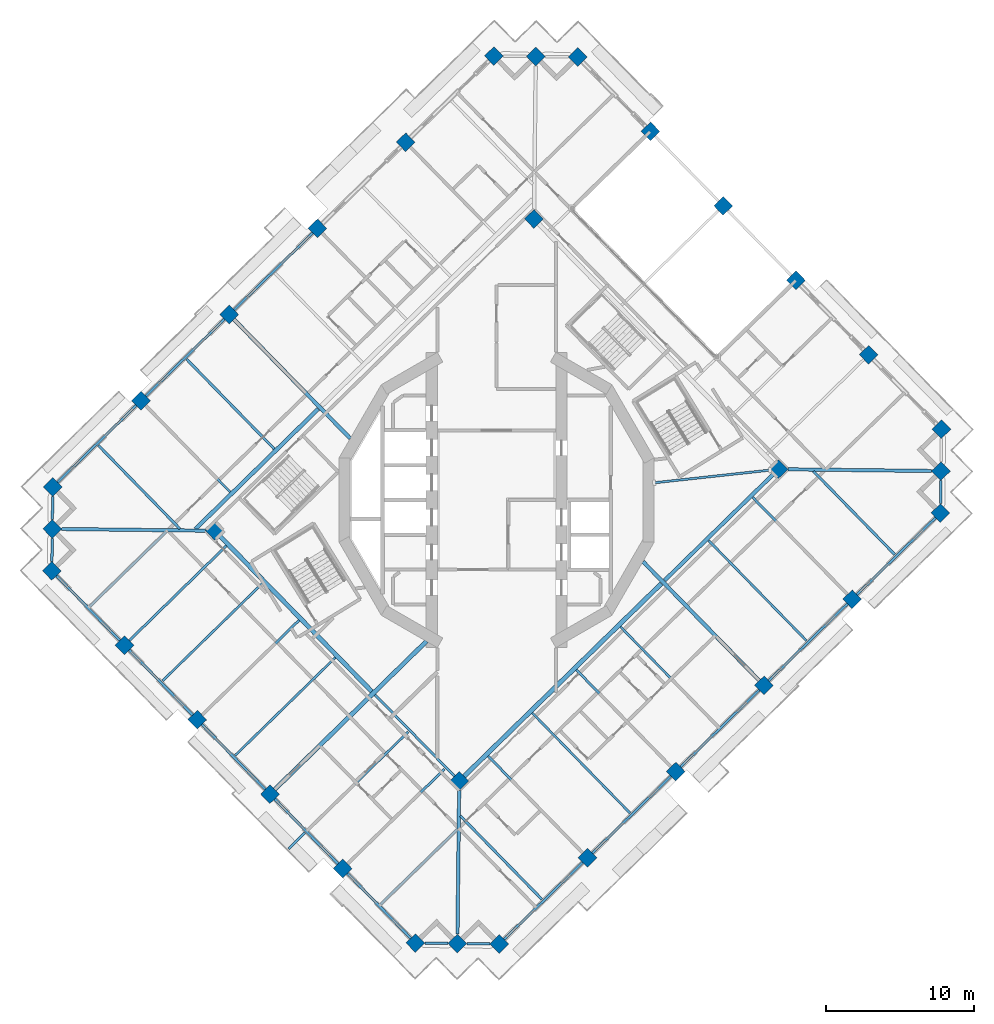
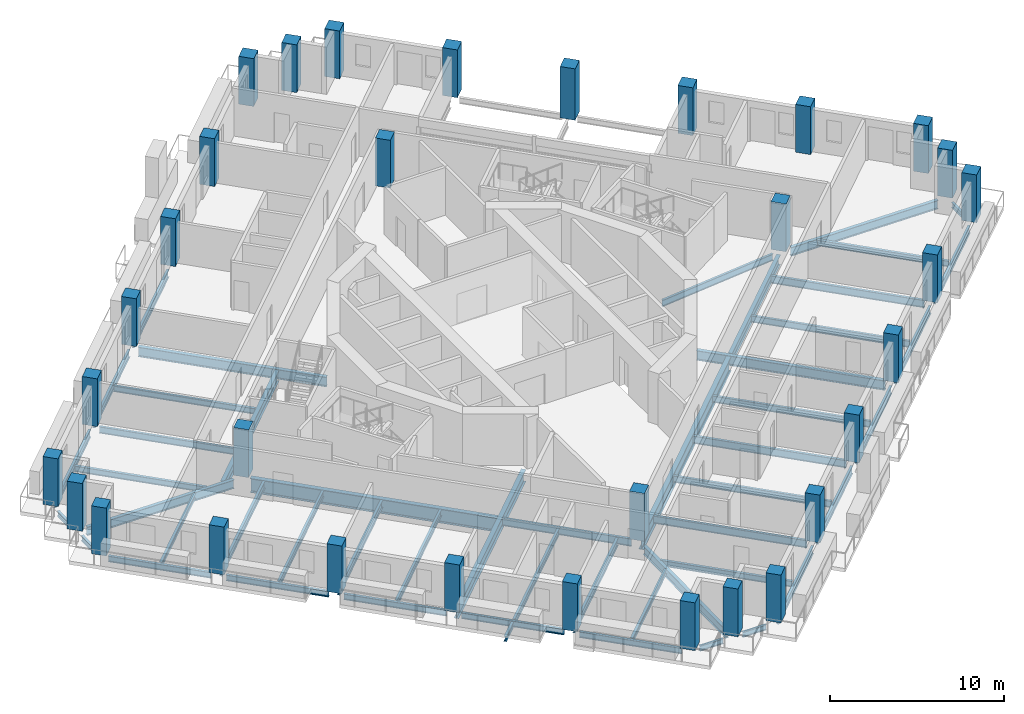
# One storey, part 1 of 20: 50 beams, 32 columns.
"""IFC4 building model written with IfcOpenShell, lengths in metres."""

from ifc_helpers import new_model, si_unit, direction, frame, origin, origin_2d, place, context, subcontext, project, spatial, rectangle, i_section, extrude, material, material_profile, profile_set, type_object, element, save


model = new_model("IFC4")

# Units and contexts
model_context = context("Model", 3, precision=1e-05, world=origin(), true_north=direction((0.0, 1.0)))
body_context = subcontext(model_context, "Body", "Model", "MODEL_VIEW")
ifc_project = project(units=[si_unit("LENGTHUNIT", "METRE"), si_unit("AREAUNIT", "SQUARE_METRE"), si_unit("VOLUMEUNIT", "CUBIC_METRE"), si_unit("PLANEANGLEUNIT", "RADIAN"), si_unit("MASSUNIT", "GRAM", prefix="KILO")], contexts=[model_context])

# Site, building, storey
site_placement = place(None, origin())
site = spatial("IfcSite", under=ifc_project, at=site_placement, CompositionType="ELEMENT")
building_placement = place(site_placement, origin())
building = spatial("IfcBuilding", under=site, at=building_placement, Name="Cantera Rosa Tower", CompositionType="ELEMENT")
storey_placement = place(building_placement, frame((0.0, 0.0, 209.0)))
storey = spatial("IfcBuildingStorey", under=building, at=storey_placement, Name="L44", CompositionType="ELEMENT", Elevation=209.0)

# Columns
ifc_material_1 = material(Name="Concrete C60/75", Category="concrete")
ifc_material_profile_1 = material_profile(ifc_material_1, rectangle(XDim=0.89990234375, YDim=0.89990234375, at=origin_2d()), Name="RC COLUMN RC900X900 C60/75")
ifc_profile_set_1 = profile_set([ifc_material_profile_1], Name="Concrete C60/75")
column_type_1 = type_object("IfcColumnType", Name="RC COLUMN RC900X900 C60/75", PredefinedType="COLUMN", material=ifc_profile_set_1)
for number, where, z_axis, x_axis, name in (
    (1, (30.003662109375, 4.77783203125, 0.0), (0.0, 0.0, 1.0), (0.71528629107, 0.698831540364, 0.0), "C-Z4-01 L44"),
    (2, (25.097900390625, 9.799072265625, 0.0), (0.0, 0.0, 1.0), (0.71528629107, 0.698831540364, 0.0), "C-Z4-02 L44"),
    (3, (20.19189453125, 14.8203125, 0.0), (0.0, 0.0, 1.0), (0.71528629107, 0.698831540364, 0.0), "C-Z4-03 L44"),
):
    element("IfcColumn", number, at=place(storey_placement, frame(where, z_axis=z_axis, x_axis=x_axis)), inside=storey, type_object=column_type_1, Name=name, PredefinedType="COLUMN", context=body_context, shape_type="SweptSolid", body=[
        extrude(rectangle(XDim=0.89990234375, YDim=0.89990234375, at=origin_2d()), origin(), (0.0, 0.0, 1.0), 3.35009765625),
    ])
column_placement = place(storey_placement, frame((15.2861328125, 19.841796875, -0.25), z_axis=(0.0, 0.0, 1.0), x_axis=(0.71528629107, 0.698831540364, 0.0)))
element("IfcColumn", 4, at=column_placement, inside=storey, type_object=column_type_1, Name="C-Z4-04 L44", PredefinedType="COLUMN", context=body_context, shape_type="SweptSolid", body=[
    extrude(rectangle(XDim=0.89990234375, YDim=0.89990234375, at=origin_2d()), origin(), (0.0, 0.0, 1.0), 3.60009765625),
])
for number, where, z_axis, x_axis, name in (
    (5, (10.38037109375, 24.863037109375, 0.0), (0.0, 0.0, 1.0), (0.71528629107, 0.698831540364, 0.0), "C-Z4-05 L44"),
    (6, (5.474609375, 29.88427734375, 0.0), (0.0, 0.0, 1.0), (0.71528629107, 0.698831540364, 0.0), "C-Z4-06 L44"),
    (7, (2.646484375, 29.917236328125, 0.0), (0.0, 0.0, 1.0), (0.71528629107, 0.698831540364, 0.0), "C-Z4-07 L44"),
    (8, (-0.181884765625, 29.9501953125, 0.0), (0.0, 0.0, 1.0), (0.71528629107, 0.698831540364, 0.0), "C-Z4-08 L44"),
    (9, (-6.133056640625, 24.1357421875, 0.0), (0.0, 0.0, 1.0), (0.71528629107, 0.698831540364, 0.0), "C-Z4-09 L44"),
    (10, (-12.084228515625, 18.321533203125, 0.0), (0.0, 0.0, 1.0), (0.71528629107, 0.698831540364, 0.0), "C-Z4-10 L44"),
    (11, (-18.035400390625, 12.50732421875, 0.0), (0.0, 0.0, 1.0), (0.71528629107, 0.698831540364, 0.0), "C-Z4-11 L44"),
    (12, (-23.986572265625, 6.693115234375, 0.0), (0.0, 0.0, 1.0), (0.71528629107, 0.698831540364, 0.0), "C-Z4-12 L44"),
    (13, (-29.937744140625, 0.878662109375, 0.0), (0.0, 0.0, 1.0), (0.71528629107, 0.698831540364, 0.0), "C-Z4-13 L44"),
    (14, (-29.970703125, -1.949462890625, 0.0), (0.0, 0.0, 1.0), (0.71528629107, 0.698831540364, 0.0), "C-Z4-14 L44"),
    (15, (-30.003662109375, -4.77783203125, 0.0), (0.0, 0.0, 1.0), (0.71528629107, 0.698831540364, 0.0), "C-Z4-15 L44"),
    (16, (-25.097900390625, -9.799072265625, 0.0), (0.0, 0.0, 1.0), (0.71528629107, 0.698831540364, 0.0), "C-Z4-16 L44"),
    (17, (-20.19189453125, -14.8203125, 0.0), (0.0, 0.0, 1.0), (0.71528629107, 0.698831540364, 0.0), "C-Z4-17 L44"),
    (18, (-15.2861328125, -19.841796875, 0.0), (0.0, 0.0, 1.0), (0.71528629107, 0.698831540364, 0.0), "C-Z4-18 L44"),
    (19, (-10.38037109375, -24.863037109375, 0.0), (0.0, 0.0, 1.0), (0.71528629107, 0.698831540364, 0.0), "C-Z4-19 L44"),
    (20, (-5.474609375, -29.88427734375, 0.0), (0.0, 0.0, 1.0), (0.71528629107, 0.698831540364, 0.0), "C-Z4-20 L44"),
    (21, (-2.646484375, -29.917236328125, 0.0), (0.0, 0.0, 1.0), (0.71528629107, 0.698831540364, 0.0), "C-Z4-21 L44"),
    (22, (0.181884765625, -29.9501953125, 0.0), (0.0, 0.0, 1.0), (0.71528629107, 0.698831540364, 0.0), "C-Z4-22 L44"),
    (23, (6.133056640625, -24.1357421875, 0.0), (0.0, 0.0, 1.0), (0.71528629107, 0.698831540364, 0.0), "C-Z4-23 L44"),
    (24, (12.084228515625, -18.321533203125, 0.0), (0.0, 0.0, 1.0), (0.71528629107, 0.698831540364, 0.0), "C-Z4-24 L44"),
    (25, (18.035400390625, -12.50732421875, 0.0), (0.0, 0.0, 1.0), (0.71528629107, 0.698831540364, 0.0), "C-Z4-25 L44"),
    (26, (23.986572265625, -6.693115234375, 0.0), (0.0, 0.0, 1.0), (0.71528629107, 0.698831540364, 0.0), "C-Z4-26 L44"),
    (27, (29.937744140625, -0.878662109375, 0.0), (0.0, 0.0, 1.0), (0.71528629107, 0.698831540364, 0.0), "C-Z4-27 L44"),
    (28, (29.970703125, 1.949462890625, 0.0), (0.0, 0.0, 1.0), (0.71528629107, 0.698831540364, 0.0), "C-Z4-28 L44"),
):
    element("IfcColumn", number, at=place(storey_placement, frame(where, z_axis=z_axis, x_axis=x_axis)), inside=storey, type_object=column_type_1, Name=name, PredefinedType="COLUMN", context=body_context, shape_type="SweptSolid", body=[
        extrude(rectangle(XDim=0.89990234375, YDim=0.89990234375, at=origin_2d()), origin(), (0.0, 0.0, 1.0), 3.35009765625),
    ])
ifc_material_2 = material(Name="Concrete C60/75", Category="concrete")
ifc_material_profile_2 = material_profile(ifc_material_2, rectangle(XDim=0.89990234375, YDim=0.89990234375, at=origin_2d()), Name="RC RING COLUMN RC900X900 C60/75")
ifc_profile_set_2 = profile_set([ifc_material_profile_2], Name="Concrete C60/75")
column_type_2 = type_object("IfcColumnType", Name="RC RING COLUMN RC900X900 C60/75", PredefinedType="COLUMN", material=ifc_profile_set_2)
for number, where, z_axis, x_axis, name in (
    (29, (2.518798828125, 18.957763671875, 0.0), (0.0, 0.0, 1.0), (0.71528629107, 0.698831540364, 0.0), "CI-Z4-1 L44"),
    (30, (-19.01123046875, -2.0771484375, 0.0), (0.0, 0.0, 1.0), (0.71528629107, 0.698831540364, 0.0), "CI-Z4-2 L44"),
    (31, (-2.518798828125, -18.957763671875, 0.0), (0.0, 0.0, 1.0), (0.71528629107, 0.698831540364, 0.0), "CI-Z4-3 L44"),
    (32, (19.01123046875, 2.0771484375, 0.0), (0.0, 0.0, 1.0), (0.71528629107, 0.698831540364, 0.0), "CI-Z4-4 L44"),
):
    element("IfcColumn", number, at=place(storey_placement, frame(where, z_axis=z_axis, x_axis=x_axis)), inside=storey, type_object=column_type_2, Name=name, PredefinedType="COLUMN", context=body_context, shape_type="SweptSolid", body=[
        extrude(rectangle(XDim=0.89990234375, YDim=0.89990234375, at=origin_2d()), origin(), (0.0, 0.0, 1.0), 3.35009765625),
    ])

# Beams
ifc_material_3 = material(Name="Steel ASTM A992 (Fy 345 MPa)", Category="steel")
ifc_material_profile_3 = material_profile(ifc_material_3, i_section(OverallWidth=0.300048828125, OverallDepth=0.990966796875, WebThickness=0.0166015625, FlangeThickness=0.030517578125, FilletRadius=0.030029296875, at=origin_2d()), Name="W1000X272")
ifc_profile_set_3 = profile_set([ifc_material_profile_3], Name="Steel ASTM A992 (Fy 345 MPa)")
beam_type_1 = type_object("IfcBeamType", Name="STEEL BEAM W1000X272", PredefinedType="BEAM", material=ifc_profile_set_3)
beam_1_placement = place(storey_placement, frame((-8.4169921875, -12.9208984375, -0.74560546875), z_axis=(-0.698826825527, 0.715290897415, 0.0), x_axis=(-0.715290897415, -0.698826825527, 0.0)))
element("IfcBeam", 33, at=beam_1_placement, inside=storey, type_object=beam_type_1, Name="RB-Z4-07 L44", PredefinedType="BEAM", context=body_context, shape_type="SweptSolid", body=[
    extrude(i_section(OverallWidth=0.300048828125, OverallDepth=0.990966796875, WebThickness=0.0166015625, FlangeThickness=0.030517578125, FilletRadius=0.030029296875, at=origin_2d()), origin(), (0.0, 0.0, 1.0), 14.7099609375),
])
ifc_material_4 = material(Name="Steel ASTM A992 (Fy 345 MPa)", Category="steel")
ifc_material_profile_4 = material_profile(ifc_material_4, i_section(OverallWidth=0.302001953125, OverallDepth=1.010009765625, WebThickness=0.02099609375, FlangeThickness=0.0400390625, FilletRadius=0.030029296875, at=origin_2d()), Name="W1000X350")
ifc_profile_set_4 = profile_set([ifc_material_profile_4], Name="Steel ASTM A992 (Fy 345 MPa)")
beam_type_2 = type_object("IfcBeamType", Name="STEEL BEAM W1000X350", PredefinedType="BEAM", material=ifc_profile_set_4)
beam_2_placement = place(storey_placement, frame((-2.197021484375, -18.643310546875, -0.7548828125), z_axis=(0.715290925107, 0.698826797182, 0.0), x_axis=(-0.698826797182, 0.715290925107, 0.0)))
element("IfcBeam", 34, at=beam_2_placement, inside=storey, type_object=beam_type_2, Name="RB-Z4-03 L44", PredefinedType="BEAM", context=body_context, shape_type="SweptSolid", body=[
    extrude(i_section(OverallWidth=0.302001953125, OverallDepth=1.010009765625, WebThickness=0.02099609375, FlangeThickness=0.0400390625, FilletRadius=0.030029296875, at=origin_2d()), origin(), (0.0, 0.0, 1.0), 18.60986328125),
])
ifc_material_5 = material(Name="Steel ASTM A992 (Fy 345 MPa)", Category="steel")
ifc_material_profile_5 = material_profile(ifc_material_5, i_section(OverallWidth=0.154052734375, OverallDepth=0.4599609375, WebThickness=0.009033203125, FlangeThickness=0.015380859375, FilletRadius=0.01025390625, at=origin_2d()), Name="W460X68")
ifc_profile_set_5 = profile_set([ifc_material_profile_5], Name="Steel ASTM A992 (Fy 345 MPa)")
beam_type_3 = type_object("IfcBeamType", Name="STEEL BEAM W460X68", PredefinedType="BEAM", material=ifc_profile_set_5)
beam_3_placement = place(storey_placement, frame((-23.672119140625, 6.37109375, -0.47998046875), z_axis=(0.698836133494, -0.715281803574, 0.0), x_axis=(0.715281803574, 0.698836133494, 0.0)))
element("IfcBeam", 35, at=beam_3_placement, inside=storey, type_object=beam_type_3, Name="G-Z4-08 L44", PredefinedType="BEAM", context=body_context, shape_type="SweptSolid", body=[
    extrude(i_section(OverallWidth=0.154052734375, OverallDepth=0.4599609375, WebThickness=0.009033203125, FlangeThickness=0.015380859375, FilletRadius=0.01025390625, at=origin_2d()), origin(), (0.0, 0.0, 1.0), 8.150146484375),
])
beam_4_placement = place(storey_placement, frame((18.44287109375, 2.014892578125, -0.47998046875), z_axis=(-0.994086100692, -0.108594771563, 0.0), x_axis=(0.108594771563, -0.994086100692, 0.0)))
element("IfcBeam", 36, at=beam_4_placement, inside=storey, type_object=beam_type_3, Name="PG-Z4-01 L44", PredefinedType="BEAM", context=body_context, shape_type="SweptSolid", body=[
    extrude(i_section(OverallWidth=0.154052734375, OverallDepth=0.4599609375, WebThickness=0.009033203125, FlangeThickness=0.015380859375, FilletRadius=0.01025390625, at=origin_2d()), origin(), (0.0, 0.0, 1.0), 7.864013671875),
])
ifc_material_6 = material(Name="Steel ASTM A992 (Fy 345 MPa)", Category="steel")
ifc_material_profile_6 = material_profile(ifc_material_6, i_section(OverallWidth=0.166015625, OverallDepth=0.528076171875, WebThickness=0.009765625, FlangeThickness=0.013671875, FilletRadius=0.0126953125, at=origin_2d()), Name="W530X74")
ifc_profile_set_6 = profile_set([ifc_material_profile_6], Name="Steel ASTM A992 (Fy 345 MPa)")
beam_type_4 = type_object("IfcBeamType", Name="STEEL BEAM W530X74", PredefinedType="BEAM", material=ifc_profile_set_6)
for number, where, z_axis, x_axis, name in (
    (37, (5.818603515625, -23.81396484375, -0.513916015625), (-0.698827481213, 0.71529025682, 0.0), (-0.71529025682, -0.698827481213, 0.0), "G-Z4-09 L44"),
    (38, (11.769775390625, -17.999755859375, -0.513916015625), (-0.698827481213, 0.71529025682, 0.0), (-0.71529025682, -0.698827481213, 0.0), "G-Z4-10 L44"),
    (39, (23.672119140625, -6.37109375, -0.513916015625), (-0.698827481213, 0.71529025682, 0.0), (-0.71529025682, -0.698827481213, 0.0), "G-Z4-12 L44"),
    (40, (-24.77587890625, -9.484619140625, -0.513916015625), (0.71529025682, 0.698827481213, 0.0), (-0.698827481213, 0.71529025682, 0.0), "G-Z4-13 L44"),
    (41, (-19.8701171875, -14.505859375, -0.513916015625), (0.71529025682, 0.698827481213, 0.0), (-0.698827481213, 0.71529025682, 0.0), "G-Z4-14 L44"),
    (42, (-10.05859375, -24.548583984375, -0.513916015625), (0.71529025682, 0.698827481213, 0.0), (-0.698827481213, 0.71529025682, 0.0), "G-Z4-16 L44"),
):
    element("IfcBeam", number, at=place(storey_placement, frame(where, z_axis=z_axis, x_axis=x_axis)), inside=storey, type_object=beam_type_4, Name=name, PredefinedType="BEAM", context=body_context, shape_type="SweptSolid", body=[
        extrude(i_section(OverallWidth=0.166015625, OverallDepth=0.528076171875, WebThickness=0.009765625, FlangeThickness=0.013671875, FilletRadius=0.0126953125, at=origin_2d()), origin(), (0.0, 0.0, 1.0), 9.14990234375),
    ])
beam_5_placement = place(storey_placement, frame((-2.833251953125, -18.635986328125, -0.513916015625), z_axis=(-0.698820376914, 0.71529719754, 0.0), x_axis=(-0.71529719754, -0.698820376914, 0.0)))
element("IfcBeam", 43, at=beam_5_placement, inside=storey, type_object=beam_type_4, Name="RB-Z4-06 L44", PredefinedType="BEAM", context=body_context, shape_type="SweptSolid", body=[
    extrude(i_section(OverallWidth=0.166015625, OverallDepth=0.528076171875, WebThickness=0.009765625, FlangeThickness=0.013671875, FilletRadius=0.0126953125, at=origin_2d()), origin(), (0.0, 0.0, 1.0), 7.690185546875),
])
ifc_material_7 = material(Name="Steel ASTM A992 (Fy 345 MPa)", Category="steel")
ifc_material_profile_7 = material_profile(ifc_material_7, i_section(OverallWidth=0.22802734375, OverallDepth=0.60205078125, WebThickness=0.010498046875, FlangeThickness=0.014892578125, FilletRadius=0.0126953125, at=origin_2d()), Name="W610X101")
ifc_profile_set_7 = profile_set([ifc_material_profile_7], Name="Steel ASTM A992 (Fy 345 MPa)")
beam_type_5 = type_object("IfcBeamType", Name="STEEL BEAM W610X101", PredefinedType="BEAM", material=ifc_profile_set_7)
for number, where, z_axis, x_axis, name in (
    (44, (-29.334228515625, -1.95703125, -0.551025390625), (0.999932504919, -0.011618330597, 0.0), (0.011618330597, 0.999932504919, 0.0), "CB-Z4-02 L44"),
    (45, (-2.638916015625, -29.28076171875, -0.551025390625), (0.011618330597, 0.999932504919, 0.0), (-0.999932504919, 0.011618330597, 0.0), "CB-Z4-03 L44"),
    (46, (29.334228515625, 1.95703125, -0.551025390625), (-0.999932504919, 0.011618330597, 0.0), (-0.011618330597, -0.999932504919, 0.0), "CB-Z4-04 L44"),
):
    element("IfcBeam", number, at=place(storey_placement, frame(where, z_axis=z_axis, x_axis=x_axis)), inside=storey, type_object=beam_type_5, Name=name, PredefinedType="BEAM", context=body_context, shape_type="SweptSolid", body=[
        extrude(i_section(OverallWidth=0.22802734375, OverallDepth=0.60205078125, WebThickness=0.010498046875, FlangeThickness=0.014892578125, FilletRadius=0.0126953125, at=origin_2d()), origin(), (0.0, 0.0, 1.0), 9.687255859375),
    ])
ifc_material_8 = material(Name="Steel ASTM A992 (Fy 345 MPa)", Category="steel")
ifc_material_profile_8 = material_profile(ifc_material_8, i_section(OverallWidth=0.25390625, OverallDepth=0.677978515625, WebThickness=0.01171875, FlangeThickness=0.016357421875, FilletRadius=0.01513671875, at=origin_2d()), Name="W690X125")
ifc_profile_set_8 = profile_set([ifc_material_profile_8], Name="Steel ASTM A992 (Fy 345 MPa)")
beam_type_6 = type_object("IfcBeamType", Name="STEEL BEAM W690X125", PredefinedType="BEAM", material=ifc_profile_set_8)
for number, where, z_axis, x_axis, name in (
    (47, (-17.720947265625, 12.185302734375, -0.589111328125), (0.698831358516, -0.715286468734, 0.0), (0.715286468734, 0.698831358516, 0.0), "G-Z4-07 L44"),
    (48, (17.720947265625, -12.185302734375, -0.589111328125), (-0.698831358516, 0.715286468734, 0.0), (-0.715286468734, -0.698831358516, 0.0), "G-Z4-11 L44"),
):
    element("IfcBeam", number, at=place(storey_placement, frame(where, z_axis=z_axis, x_axis=x_axis)), inside=storey, type_object=beam_type_6, Name=name, PredefinedType="BEAM", context=body_context, shape_type="SweptSolid", body=[
        extrude(i_section(OverallWidth=0.25390625, OverallDepth=0.677978515625, WebThickness=0.01171875, FlangeThickness=0.016357421875, FilletRadius=0.01513671875, at=origin_2d()), origin(), (0.0, 0.0, 1.0), 11.2314453125),
    ])
beam_6_placement = place(storey_placement, frame((11.3291015625, -5.428466796875, -0.589111328125), z_axis=(0.715291776896, 0.698825925324, 0.0), x_axis=(-0.698825925324, 0.715291776896, 0.0)))
element("IfcBeam", 49, at=beam_6_placement, inside=storey, type_object=beam_type_6, Name="RB-Z4-04 L44", PredefinedType="BEAM", context=body_context, shape_type="SweptSolid", body=[
    extrude(i_section(OverallWidth=0.25390625, OverallDepth=0.677978515625, WebThickness=0.01171875, FlangeThickness=0.016357421875, FilletRadius=0.01513671875, at=origin_2d()), origin(), (0.0, 0.0, 1.0), 10.2900390625),
])
ifc_material_9 = material(Name="Steel ASTM A992 (Fy 345 MPa)", Category="steel")
ifc_material_profile_9 = material_profile(ifc_material_9, i_section(OverallWidth=0.26708984375, OverallDepth=0.75390625, WebThickness=0.01318359375, FlangeThickness=0.01708984375, FilletRadius=0.0166015625, at=origin_2d()), Name="W760X147")
ifc_profile_set_9 = profile_set([ifc_material_profile_9], Name="Steel ASTM A992 (Fy 345 MPa)")
beam_type_7 = type_object("IfcBeamType", Name="STEEL BEAM W760X147", PredefinedType="BEAM", material=ifc_profile_set_9)
beam_7_placement = place(storey_placement, frame((-20.318115234375, -1.955810546875, -0.626953125), z_axis=(0.715284592672, 0.698833278749, 0.0), x_axis=(-0.698833278749, 0.715284592672, 0.0)))
element("IfcBeam", 50, at=beam_7_placement, inside=storey, type_object=beam_type_7, Name="RB-Z4-01 L44", PredefinedType="BEAM", context=body_context, shape_type="SweptSolid", body=[
    extrude(i_section(OverallWidth=0.26708984375, OverallDepth=0.75390625, WebThickness=0.01318359375, FlangeThickness=0.01708984375, FilletRadius=0.0166015625, at=origin_2d()), origin(), (0.0, 0.0, 1.0), 11.590087890625),
])
ifc_material_10 = material(Name="Steel ASTM A992 (Fy 345 MPa)", Category="steel")
ifc_material_profile_10 = material_profile(ifc_material_10, i_section(OverallWidth=0.2919921875, OverallDepth=0.8359375, WebThickness=0.013916015625, FlangeThickness=0.018798828125, FilletRadius=0.017822265625, at=origin_2d()), Name="W840X176")
ifc_profile_set_10 = profile_set([ifc_material_profile_10], Name="Steel ASTM A992 (Fy 345 MPa)")
beam_type_8 = type_object("IfcBeamType", Name="STEEL BEAM W840X176", PredefinedType="BEAM", material=ifc_profile_set_10)
beam_8_placement = place(storey_placement, frame((-14.96435546875, -19.527099609375, -0.66796875), z_axis=(0.715288446628, 0.698829334045, 0.0), x_axis=(-0.698829334045, 0.715288446628, 0.0)))
element("IfcBeam", 51, at=beam_8_placement, inside=storey, type_object=beam_type_8, Name="G-Z4-15 L44", PredefinedType="BEAM", context=body_context, shape_type="SweptSolid", body=[
    extrude(i_section(OverallWidth=0.2919921875, OverallDepth=0.8359375, WebThickness=0.013916015625, FlangeThickness=0.018798828125, FilletRadius=0.017822265625, at=origin_2d()), origin(), (0.0, 0.0, 1.0), 14.299072265625),
])
ifc_material_11 = material(Name="Steel ASTM A992 (Fy 345 MPa)", Category="steel")
ifc_material_profile_11 = material_profile(ifc_material_11, i_section(OverallWidth=0.1708984375, OverallDepth=0.35595703125, WebThickness=0.00732421875, FlangeThickness=0.01171875, FilletRadius=0.010009765625, at=origin_2d()), Name="W360X51")
ifc_profile_set_11 = profile_set([ifc_material_profile_11], Name="Steel ASTM A992 (Fy 345 MPa)")
beam_type_9 = type_object("IfcBeamType", Name="STEEL JOIST W360X51", PredefinedType="JOIST", material=ifc_profile_set_11)
for number, where, z_axis, x_axis, name in (
    (52, (-27.443359375, -7.18359375, -0.427978515625), (0.715287213552, 0.69883059616, 0.0), (-0.69883059616, 0.715287213552, 0.0), "B-Z4-16 L44"),
    (53, (-7.8203125, -27.268798828125, -0.427978515625), (0.715287213552, 0.69883059616, 0.0), (-0.69883059616, 0.715287213552, 0.0), "B-Z4-20 L44"),
):
    element("IfcBeam", number, at=place(storey_placement, frame(where, z_axis=z_axis, x_axis=x_axis)), inside=storey, type_object=beam_type_9, Name=name, PredefinedType="JOIST", context=body_context, shape_type="SweptSolid", body=[
        extrude(i_section(OverallWidth=0.1708984375, OverallDepth=0.35595703125, WebThickness=0.00732421875, FlangeThickness=0.01171875, FilletRadius=0.010009765625, at=origin_2d()), origin(), (0.0, 0.0, 1.0), 7.2099609375),
    ])
beam_9_placement = place(storey_placement, frame((-12.92626953125, -22.443115234375, -0.427978515625), z_axis=(-0.715306775654, -0.698810572833, 0.0), x_axis=(0.698810572833, -0.715306775654, 0.0)))
element("IfcBeam", 54, at=beam_9_placement, inside=storey, type_object=beam_type_9, Name="BS-Z4-01 L44", PredefinedType="JOIST", context=body_context, shape_type="SweptSolid", body=[
    extrude(i_section(OverallWidth=0.1708984375, OverallDepth=0.35595703125, WebThickness=0.00732421875, FlangeThickness=0.01171875, FilletRadius=0.010009765625, at=origin_2d()), origin(), (0.0, 0.0, 1.0), 1.553955078125),
])
ifc_material_12 = material(Name="Steel ASTM A992 (Fy 345 MPa)", Category="steel")
ifc_material_profile_12 = material_profile(ifc_material_12, i_section(OverallWidth=0.177978515625, OverallDepth=0.406005859375, WebThickness=0.0078125, FlangeThickness=0.0126953125, FilletRadius=0.01025390625, at=origin_2d()), Name="W410X60")
ifc_profile_set_12 = profile_set([ifc_material_profile_12], Name="Steel ASTM A992 (Fy 345 MPa)")
beam_type_10 = type_object("IfcBeamType", Name="STEEL JOIST W410X60", PredefinedType="JOIST", material=ifc_profile_set_12)
beam_10_placement = place(storey_placement, frame((-20.90625, 9.492919921875, -0.452880859375), z_axis=(0.698839235604, -0.715278772774, 0.0), x_axis=(0.715278772774, 0.698839235604, 0.0)))
element("IfcBeam", 55, at=beam_10_placement, inside=storey, type_object=beam_type_10, Name="B-Z4-09 L44", PredefinedType="JOIST", context=body_context, shape_type="SweptSolid", body=[
    extrude(i_section(OverallWidth=0.177978515625, OverallDepth=0.406005859375, WebThickness=0.0078125, FlangeThickness=0.0126953125, FilletRadius=0.01025390625, at=origin_2d()), origin(), (0.0, 0.0, 1.0), 8.4501953125),
])
for number, where, z_axis, x_axis, name in (
    (56, (-26.857421875, 3.678466796875, -0.452880859375), (0.698843394481, -0.715274709458, 0.0), (0.715274709458, 0.698843394481, 0.0), "B-Z4-10 L44"),
    (57, (3.052734375, -26.935791015625, -0.452880859375), (-0.698827868311, 0.715289878631, 0.0), (-0.715289878631, -0.698827868311, 0.0), "B-Z4-11 L44"),
    (58, (26.857421875, -3.678466796875, -0.452880859375), (-0.698843394481, 0.715274709458, 0.0), (-0.715274709458, -0.698843394481, 0.0), "B-Z4-15 L44"),
):
    element("IfcBeam", number, at=place(storey_placement, frame(where, z_axis=z_axis, x_axis=x_axis)), inside=storey, type_object=beam_type_10, Name=name, PredefinedType="JOIST", context=body_context, shape_type="SweptSolid", body=[
        extrude(i_section(OverallWidth=0.177978515625, OverallDepth=0.406005859375, WebThickness=0.0078125, FlangeThickness=0.0126953125, FilletRadius=0.01025390625, at=origin_2d()), origin(), (0.0, 0.0, 1.0), 7.860107421875),
    ])
ifc_material_13 = material(Name="Steel ASTM A992 (Fy 345 MPa)", Category="steel")
ifc_material_profile_13 = material_profile(ifc_material_13, i_section(OverallWidth=0.154052734375, OverallDepth=0.4599609375, WebThickness=0.009033203125, FlangeThickness=0.015380859375, FilletRadius=0.01025390625, at=origin_2d()), Name="W460X68")
ifc_profile_set_13 = profile_set([ifc_material_profile_13], Name="Steel ASTM A992 (Fy 345 MPa)")
beam_type_11 = type_object("IfcBeamType", Name="STEEL JOIST W460X68", PredefinedType="JOIST", material=ifc_profile_set_13)
beam_11_placement = place(storey_placement, frame((9.00390625, -21.121337890625, -0.47998046875), z_axis=(-0.698843443844, 0.715274661229, 0.0), x_axis=(-0.715274661229, -0.698843443844, 0.0)))
element("IfcBeam", 59, at=beam_11_placement, inside=storey, type_object=beam_type_11, Name="B-Z4-12 L44", PredefinedType="JOIST", context=body_context, shape_type="SweptSolid", body=[
    extrude(i_section(OverallWidth=0.154052734375, OverallDepth=0.4599609375, WebThickness=0.009033203125, FlangeThickness=0.015380859375, FilletRadius=0.01025390625, at=origin_2d()), origin(), (0.0, 0.0, 1.0), 9.449951171875),
])
for number, where, z_axis, x_axis, name in (
    (60, (14.955078125, -15.30712890625, -0.47998046875), (-0.698830529832, 0.715287278354, 0.0), (-0.715287278354, -0.698830529832, 0.0), "B-Z4-13 L44"),
    (61, (20.90625, -9.492919921875, -0.47998046875), (-0.698830529832, 0.715287278354, 0.0), (-0.715287278354, -0.698830529832, 0.0), "B-Z4-14 L44"),
    (62, (-22.53759765625, -12.204833984375, -0.47998046875), (0.715287278354, 0.698830529832, 0.0), (-0.698830529832, 0.715287278354, 0.0), "B-Z4-17 L44"),
    (63, (-17.6318359375, -17.226318359375, -0.47998046875), (0.715287278354, 0.698830529832, 0.0), (-0.698830529832, 0.715287278354, 0.0), "B-Z4-18 L44"),
    (64, (-12.72607421875, -22.24755859375, -0.47998046875), (0.715287278354, 0.698830529832, 0.0), (-0.698830529832, 0.715287278354, 0.0), "B-Z4-19 L44"),
):
    element("IfcBeam", number, at=place(storey_placement, frame(where, z_axis=z_axis, x_axis=x_axis)), inside=storey, type_object=beam_type_11, Name=name, PredefinedType="JOIST", context=body_context, shape_type="SweptSolid", body=[
        extrude(i_section(OverallWidth=0.154052734375, OverallDepth=0.4599609375, WebThickness=0.009033203125, FlangeThickness=0.015380859375, FilletRadius=0.01025390625, at=origin_2d()), origin(), (0.0, 0.0, 1.0), 9.4501953125),
    ])
ifc_material_14 = material(Name="Steel ASTM A992 (Fy 345 MPa)", Category="steel")
ifc_material_profile_14 = material_profile(ifc_material_14, i_section(OverallWidth=0.1708984375, OverallDepth=0.35595703125, WebThickness=0.00732421875, FlangeThickness=0.01171875, FilletRadius=0.010009765625, at=origin_2d()), Name="W360X51")
ifc_profile_set_14 = profile_set([ifc_material_profile_14], Name="Steel ASTM A992 (Fy 345 MPa)")
beam_type_12 = type_object("IfcBeamType", Name="STEEL SPANDREL BEAM W360X51", PredefinedType="SPANDREL", material=ifc_profile_set_14)
beam_12_placement = place(storey_placement, frame((-29.945068359375, 0.242431640625, -0.427978515625), z_axis=(-0.011769429589, -0.999930737865, 0.0), x_axis=(0.999930737865, -0.011769429589, 0.0)))
element("IfcBeam", 65, at=beam_12_placement, inside=storey, type_object=beam_type_12, Name="EB-Z4-13 L44", PredefinedType="SPANDREL", context=body_context, shape_type="SweptSolid", body=[
    extrude(i_section(OverallWidth=0.1708984375, OverallDepth=0.35595703125, WebThickness=0.00732421875, FlangeThickness=0.01171875, FilletRadius=0.010009765625, at=origin_2d()), origin(), (0.0, 0.0, 1.0), 1.5556640625),
])
for number, where, z_axis, x_axis, name in (
    (66, (-29.97802734375, -2.5859375, -0.427978515625), (-0.011614347636, -0.99993255119, 0.0), (0.99993255119, -0.011614347636, 0.0), "EB-Z4-14 L44"),
    (67, (-4.838134765625, -29.8916015625, -0.427978515625), (0.999930716123, -0.011771276677, 0.0), (0.011771276677, 0.999930716123, 0.0), "EB-Z4-20 L44"),
    (68, (-2.010009765625, -29.924560546875, -0.427978515625), (0.99993255119, -0.011614347636, 0.0), (0.011614347636, 0.99993255119, 0.0), "EB-Z4-21 L44"),
):
    element("IfcBeam", number, at=place(storey_placement, frame(where, z_axis=z_axis, x_axis=x_axis)), inside=storey, type_object=beam_type_12, Name=name, PredefinedType="SPANDREL", context=body_context, shape_type="SweptSolid", body=[
        extrude(i_section(OverallWidth=0.1708984375, OverallDepth=0.35595703125, WebThickness=0.00732421875, FlangeThickness=0.01171875, FilletRadius=0.010009765625, at=origin_2d()), origin(), (0.0, 0.0, 1.0), 1.555419921875),
    ])
beam_13_placement = place(storey_placement, frame((29.945068359375, -0.242431640625, -0.427978515625), z_axis=(0.011769429589, 0.999930737865, 0.0), x_axis=(-0.999930737865, 0.011769429589, 0.0)))
element("IfcBeam", 69, at=beam_13_placement, inside=storey, type_object=beam_type_12, Name="EB-Z4-27 L44", PredefinedType="SPANDREL", context=body_context, shape_type="SweptSolid", body=[
    extrude(i_section(OverallWidth=0.1708984375, OverallDepth=0.35595703125, WebThickness=0.00732421875, FlangeThickness=0.01171875, FilletRadius=0.010009765625, at=origin_2d()), origin(), (0.0, 0.0, 1.0), 1.5556640625),
])
ifc_material_15 = material(Name="Steel ASTM A992 (Fy 345 MPa)", Category="steel")
ifc_material_profile_15 = material_profile(ifc_material_15, i_section(OverallWidth=0.177978515625, OverallDepth=0.406005859375, WebThickness=0.0078125, FlangeThickness=0.0126953125, FilletRadius=0.01025390625, at=origin_2d()), Name="W410X60")
ifc_profile_set_15 = profile_set([ifc_material_profile_15], Name="Steel ASTM A992 (Fy 345 MPa)")
beam_type_13 = type_object("IfcBeamType", Name="STEEL SPANDREL BEAM W410X60", PredefinedType="SPANDREL", material=ifc_profile_set_15)
beam_14_placement = place(storey_placement, frame((-29.689208984375, -5.099609375, -0.452880859375), z_axis=(0.69882117953, -0.715296413412, 0.0), x_axis=(0.715296413412, 0.69882117953, 0.0)))
element("IfcBeam", 70, at=beam_14_placement, inside=storey, type_object=beam_type_13, Name="EB-Z4-15 L44", PredefinedType="SPANDREL", context=body_context, shape_type="SweptSolid", body=[
    extrude(i_section(OverallWidth=0.177978515625, OverallDepth=0.406005859375, WebThickness=0.0078125, FlangeThickness=0.0126953125, FilletRadius=0.01025390625, at=origin_2d()), origin(), (0.0, 0.0, 1.0), 6.1201171875),
])
for number, where, z_axis, x_axis, name in (
    (71, (-24.783203125, -10.120849609375, -0.452880859375), (0.698800768177, -0.715316354067, 0.0), (0.715316354067, 0.698800768177, 0.0), "EB-Z4-16 L44"),
    (72, (-19.87744140625, -15.142333984375, -0.452880859375), (0.698841120217, -0.71527693147, 0.0), (0.71527693147, 0.698841120217, 0.0), "EB-Z4-17 L44"),
    (73, (-14.9716796875, -20.16357421875, -0.452880859375), (0.698841120217, -0.71527693147, 0.0), (0.71527693147, 0.698841120217, 0.0), "EB-Z4-18 L44"),
):
    element("IfcBeam", number, at=place(storey_placement, frame(where, z_axis=z_axis, x_axis=x_axis)), inside=storey, type_object=beam_type_13, Name=name, PredefinedType="SPANDREL", context=body_context, shape_type="SweptSolid", body=[
        extrude(i_section(OverallWidth=0.177978515625, OverallDepth=0.406005859375, WebThickness=0.0078125, FlangeThickness=0.0126953125, FilletRadius=0.01025390625, at=origin_2d()), origin(), (0.0, 0.0, 1.0), 6.119873046875),
    ])
beam_15_placement = place(storey_placement, frame((-10.06591796875, -25.184814453125, -0.452880859375), z_axis=(0.69882117953, -0.715296413412, 0.0), x_axis=(0.715296413412, 0.69882117953, 0.0)))
element("IfcBeam", 74, at=beam_15_placement, inside=storey, type_object=beam_type_13, Name="EB-Z4-19 L44", PredefinedType="SPANDREL", context=body_context, shape_type="SweptSolid", body=[
    extrude(i_section(OverallWidth=0.177978515625, OverallDepth=0.406005859375, WebThickness=0.0078125, FlangeThickness=0.0126953125, FilletRadius=0.01025390625, at=origin_2d()), origin(), (0.0, 0.0, 1.0), 6.1201171875),
])
ifc_material_16 = material(Name="Steel ASTM A992 (Fy 345 MPa)", Category="steel")
ifc_material_profile_16 = material_profile(ifc_material_16, i_section(OverallWidth=0.166015625, OverallDepth=0.528076171875, WebThickness=0.009765625, FlangeThickness=0.013671875, FilletRadius=0.0126953125, at=origin_2d()), Name="W530X74")
ifc_profile_set_16 = profile_set([ifc_material_profile_16], Name="Steel ASTM A992 (Fy 345 MPa)")
beam_type_14 = type_object("IfcBeamType", Name="STEEL SPANDREL BEAM W530X74", PredefinedType="SPANDREL", material=ifc_profile_set_16)
for number, where, z_axis, x_axis, name in (
    (75, (-12.406005859375, 18.007080078125, -0.513916015625), (-0.715300826176, -0.698816662703, 0.0), (0.698816662703, -0.715300826176, 0.0), "EB-Z4-10 L44"),
    (76, (-18.357177734375, 12.19287109375, -0.513916015625), (-0.715300826176, -0.698816662703, 0.0), (0.698816662703, -0.715300826176, 0.0), "EB-Z4-11 L44"),
    (77, (-24.308349609375, 6.37841796875, -0.513916015625), (-0.715300826176, -0.698816662703, 0.0), (0.698816662703, -0.715300826176, 0.0), "EB-Z4-12 L44"),
):
    element("IfcBeam", number, at=place(storey_placement, frame(where, z_axis=z_axis, x_axis=x_axis)), inside=storey, type_object=beam_type_14, Name=name, PredefinedType="SPANDREL", context=body_context, shape_type="SweptSolid", body=[
        extrude(i_section(OverallWidth=0.166015625, OverallDepth=0.528076171875, WebThickness=0.009765625, FlangeThickness=0.013671875, FilletRadius=0.0126953125, at=origin_2d()), origin(), (0.0, 0.0, 1.0), 7.420166015625),
    ])
beam_16_placement = place(storey_placement, frame((0.503662109375, -29.6357421875, -0.513916015625), z_axis=(0.715284379566, 0.698833496871, 0.0), x_axis=(-0.698833496871, 0.715284379566, 0.0)))
element("IfcBeam", 78, at=beam_16_placement, inside=storey, type_object=beam_type_14, Name="EB-Z4-22 L44", PredefinedType="SPANDREL", context=body_context, shape_type="SweptSolid", body=[
    extrude(i_section(OverallWidth=0.166015625, OverallDepth=0.528076171875, WebThickness=0.009765625, FlangeThickness=0.013671875, FilletRadius=0.0126953125, at=origin_2d()), origin(), (0.0, 0.0, 1.0), 7.42041015625),
])
for number, where, z_axis, x_axis, name in (
    (79, (6.454833984375, -23.8212890625, -0.513916015625), (0.715300826176, 0.698816662703, 0.0), (-0.698816662703, 0.715300826176, 0.0), "EB-Z4-23 L44"),
    (80, (12.406005859375, -18.007080078125, -0.513916015625), (0.715300826176, 0.698816662703, 0.0), (-0.698816662703, 0.715300826176, 0.0), "EB-Z4-24 L44"),
    (81, (18.357177734375, -12.19287109375, -0.513916015625), (0.715300826176, 0.698816662703, 0.0), (-0.698816662703, 0.715300826176, 0.0), "EB-Z4-25 L44"),
    (82, (24.308349609375, -6.37841796875, -0.513916015625), (0.715300826176, 0.698816662703, 0.0), (-0.698816662703, 0.715300826176, 0.0), "EB-Z4-26 L44"),
):
    element("IfcBeam", number, at=place(storey_placement, frame(where, z_axis=z_axis, x_axis=x_axis)), inside=storey, type_object=beam_type_14, Name=name, PredefinedType="SPANDREL", context=body_context, shape_type="SweptSolid", body=[
        extrude(i_section(OverallWidth=0.166015625, OverallDepth=0.528076171875, WebThickness=0.009765625, FlangeThickness=0.013671875, FilletRadius=0.0126953125, at=origin_2d()), origin(), (0.0, 0.0, 1.0), 7.420166015625),
    ])

save(model, "model.ifc")
